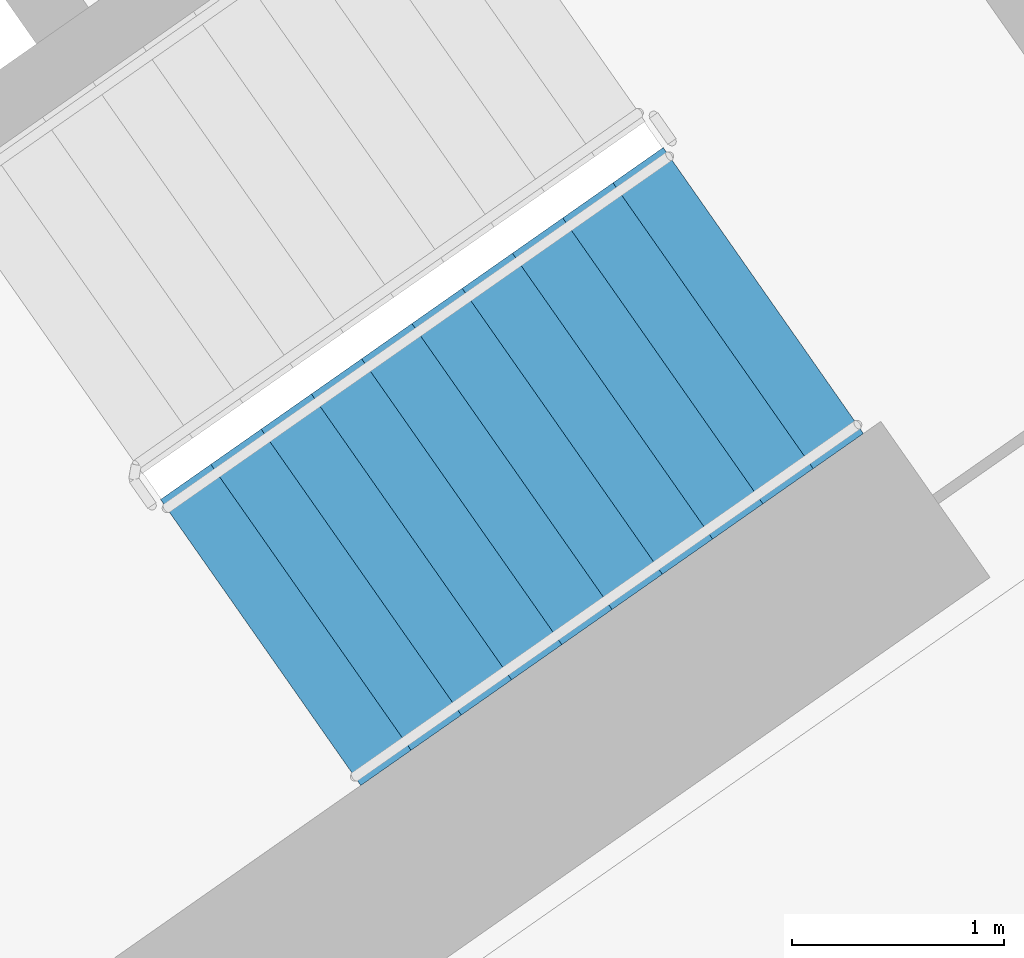
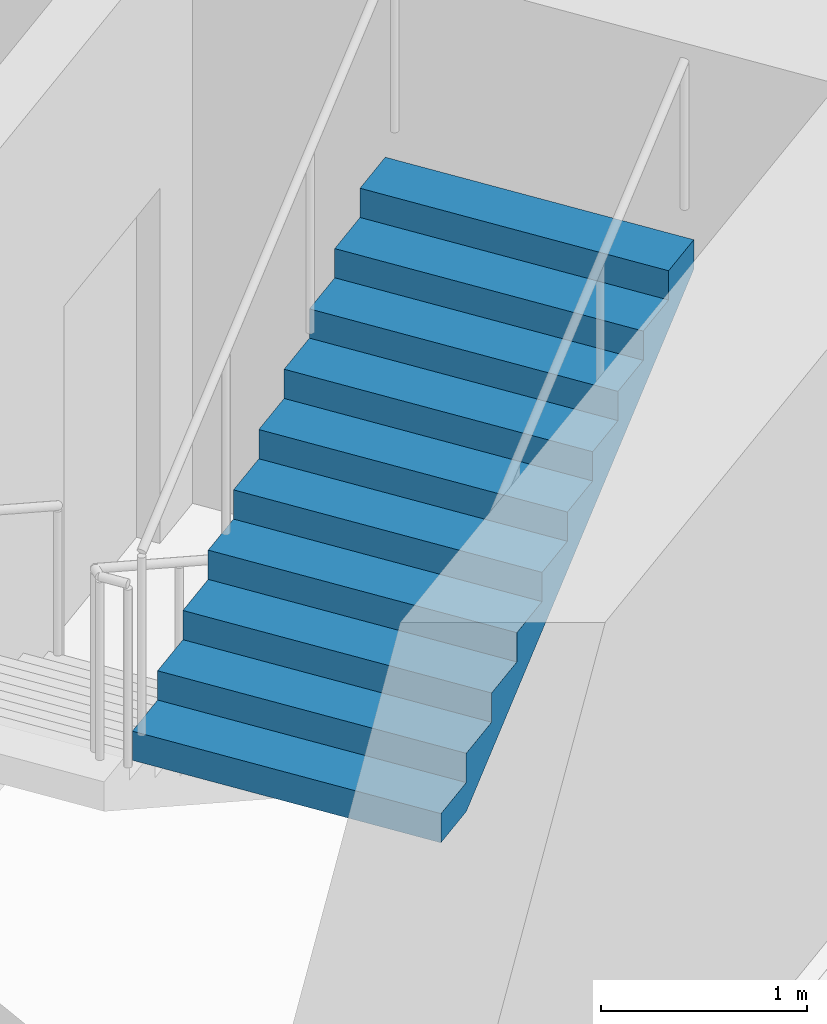
# One storey, part 16 of 30: 1 stair flight, 1 element without a shape of its own.
"""IFC4 building model written with IfcOpenShell, lengths in metres."""

from ifc_helpers import new_model, si_unit, direction, frame, origin, place, context, subcontext, project, spatial, faceted_brep, material, type_object, element, aggregate, save


model = new_model("IFC4")

# Units and contexts
model_context = context("Model", 3, precision=1e-05, world=origin(), true_north=direction((0.0, 1.0)))
body_context = subcontext(model_context, "Body", "Model", "MODEL_VIEW")
ifc_project = project(units=[si_unit("LENGTHUNIT", "METRE"), si_unit("AREAUNIT", "SQUARE_METRE"), si_unit("VOLUMEUNIT", "CUBIC_METRE"), si_unit("PLANEANGLEUNIT", "RADIAN"), si_unit("MASSUNIT", "GRAM", prefix="KILO")], contexts=[model_context])

# Site, building, storey
site_placement = place(None, origin())
site = spatial("IfcSite", under=ifc_project, at=site_placement, CompositionType="ELEMENT")
building_placement = place(site_placement, origin())
building = spatial("IfcBuilding", under=site, at=building_placement, Name="Qamariyya Broadcast Tower", CompositionType="ELEMENT")
storey_placement = place(building_placement, frame((0.0, 0.0, 125.300048828125)))
storey = spatial("IfcBuildingStorey", under=building, at=storey_placement, Name="L28", CompositionType="ELEMENT", Elevation=125.300048828125)

# Stair, stair flight
ifc_material = material(Name="Concrete C50/60", Category="concrete")
stair_type = type_object("IfcStairType", Name="Exit stair 22 risers of 173 mm", PredefinedType="HALF_TURN_STAIR", material=ifc_material)
stair_placement = place(storey_placement, origin())
stair = element("IfcStair", 1, at=stair_placement, inside=storey, type_object=stair_type, Name="L28 Stair E1", PredefinedType="HALF_TURN_STAIR")
stair_flight_type = type_object("IfcStairFlightType", Name="Exit stair flight 11 risers of 173 mm", PredefinedType="STRAIGHT", material=ifc_material)
stair_flight_placement = place(storey_placement, frame((44.693359375, -58.64599609375, 1.89990234375), z_axis=(0.0, 0.0, 1.0), x_axis=(0.819152044289, 0.573576436351, 0.0)))
stair_flight = element("IfcStairFlight", 2, at=stair_flight_placement, type_object=stair_flight_type, Name="ST-E1 flight 2", NumberOfRisers=11, NumberOfTreads=10, PredefinedType="STRAIGHT", RiserHeight=0.172727273, TreadLength=0.29, context=body_context, shape_type="Brep", body=[
    faceted_brep([(0.0, 0.824951171875, 0.0), (0.0, 0.824951171875, 0.172607421875), (0.2900390625, 0.824951171875, 0.172607421875), (0.2900390625, 0.824951171875, 0.345458984375), (0.580078125, 0.824951171875, 0.345458984375), (0.580078125, 0.824951171875, 0.51806640625), (0.8701171875, 0.824951171875, 0.51806640625), (0.8701171875, 0.824951171875, 0.69091796875), (1.159912109375, 0.824951171875, 0.69091796875), (1.159912109375, 0.824951171875, 0.863525390625), (1.449951171875, 0.824951171875, 0.863525390625), (1.449951171875, 0.824951171875, 1.036376953125), (1.739990234375, 0.824951171875, 1.036376953125), (1.739990234375, 0.824951171875, 1.208984375), (2.030029296875, 0.824951171875, 1.208984375), (2.030029296875, 0.824951171875, 1.3818359375), (2.320068359375, 0.824951171875, 1.3818359375), (2.320068359375, 0.824951171875, 1.554443359375), (2.610107421875, 0.824951171875, 1.554443359375), (2.610107421875, 0.824951171875, 1.727294921875), (2.89990234375, 0.824951171875, 1.727294921875), (2.89990234375, 0.824951171875, 1.552734375), (0.29296875, 0.824951171875, 0.0), (0.29296875, -0.824951171875, 0.0), (2.89990234375, -0.824951171875, 1.552734375), (2.89990234375, -0.824951171875, 1.727294921875), (2.610107421875, -0.824951171875, 1.727294921875), (2.610107421875, -0.824951171875, 1.554443359375), (2.320068359375, -0.824951171875, 1.554443359375), (2.320068359375, -0.824951171875, 1.3818359375), (2.030029296875, -0.824951171875, 1.3818359375), (2.030029296875, -0.824951171875, 1.208984375), (1.739990234375, -0.824951171875, 1.208984375), (1.739990234375, -0.824951171875, 1.036376953125), (1.449951171875, -0.824951171875, 1.036376953125), (1.449951171875, -0.824951171875, 0.863525390625), (1.159912109375, -0.824951171875, 0.863525390625), (1.159912109375, -0.824951171875, 0.69091796875), (0.8701171875, -0.824951171875, 0.69091796875), (0.8701171875, -0.824951171875, 0.51806640625), (0.580078125, -0.824951171875, 0.51806640625), (0.580078125, -0.824951171875, 0.345458984375), (0.2900390625, -0.824951171875, 0.345458984375), (0.2900390625, -0.824951171875, 0.172607421875), (0.0, -0.824951171875, 0.172607421875), (0.0, -0.824951171875, 0.0), (0.0, 0.10009765625, 0.0), (0.0, 0.086669921875, 0.0), (0.0, 0.0732421875, 0.0), (0.0, 0.06005859375, 0.0), (0.0, 0.046630859375, 0.0), (0.0, 0.033447265625, 0.0), (0.0, 0.02001953125, 0.0), (0.0, 0.006591796875, 0.0), (0.0, -0.006591796875, 0.0), (0.0, -0.02001953125, 0.0), (0.0, -0.033447265625, 0.0), (0.0, -0.046630859375, 0.0), (0.0, -0.06005859375, 0.0), (0.0, -0.0732421875, 0.0), (0.0, -0.086669921875, 0.0), (0.0, -0.10009765625, 0.0), (0.0, -0.10009765625, 0.172607421875), (0.0, -0.086669921875, 0.172607421875), (0.0, -0.0732421875, 0.172607421875), (0.0, -0.06005859375, 0.172607421875), (0.0, -0.046630859375, 0.172607421875), (0.0, -0.033447265625, 0.172607421875), (0.0, -0.02001953125, 0.172607421875), (0.0, -0.006591796875, 0.172607421875), (0.0, 0.006591796875, 0.172607421875), (0.0, 0.02001953125, 0.172607421875), (0.0, 0.033447265625, 0.172607421875), (0.0, 0.046630859375, 0.172607421875), (0.0, 0.06005859375, 0.172607421875), (0.0, 0.0732421875, 0.172607421875), (0.0, 0.086669921875, 0.172607421875), (0.0, 0.10009765625, 0.172607421875), (0.2900390625, -0.10009765625, 0.172607421875), (0.2900390625, -0.086669921875, 0.172607421875), (0.2900390625, -0.0732421875, 0.172607421875), (0.2900390625, -0.06005859375, 0.172607421875), (0.2900390625, -0.046630859375, 0.172607421875), (0.2900390625, -0.033447265625, 0.172607421875), (0.2900390625, -0.02001953125, 0.172607421875), (0.2900390625, -0.006591796875, 0.172607421875), (0.2900390625, 0.006591796875, 0.172607421875), (0.2900390625, 0.02001953125, 0.172607421875), (0.2900390625, 0.033447265625, 0.172607421875), (0.2900390625, 0.046630859375, 0.172607421875), (0.2900390625, 0.06005859375, 0.172607421875), (0.2900390625, 0.0732421875, 0.172607421875), (0.2900390625, 0.086669921875, 0.172607421875), (0.2900390625, 0.10009765625, 0.172607421875), (0.2900390625, -0.10009765625, 0.345458984375), (0.2900390625, -0.086669921875, 0.345458984375), (0.2900390625, -0.0732421875, 0.345458984375), (0.2900390625, -0.06005859375, 0.345458984375), (0.2900390625, -0.046630859375, 0.345458984375), (0.2900390625, -0.033447265625, 0.345458984375), (0.2900390625, -0.02001953125, 0.345458984375), (0.2900390625, -0.006591796875, 0.345458984375), (0.2900390625, 0.006591796875, 0.345458984375), (0.2900390625, 0.02001953125, 0.345458984375), (0.2900390625, 0.033447265625, 0.345458984375), (0.2900390625, 0.046630859375, 0.345458984375), (0.2900390625, 0.06005859375, 0.345458984375), (0.2900390625, 0.0732421875, 0.345458984375), (0.2900390625, 0.086669921875, 0.345458984375), (0.2900390625, 0.10009765625, 0.345458984375), (0.580078125, -0.10009765625, 0.345458984375), (0.580078125, -0.086669921875, 0.345458984375), (0.580078125, -0.0732421875, 0.345458984375), (0.580078125, -0.06005859375, 0.345458984375), (0.580078125, -0.046630859375, 0.345458984375), (0.580078125, -0.033447265625, 0.345458984375), (0.580078125, -0.02001953125, 0.345458984375), (0.580078125, -0.006591796875, 0.345458984375), (0.580078125, 0.006591796875, 0.345458984375), (0.580078125, 0.02001953125, 0.345458984375), (0.580078125, 0.033447265625, 0.345458984375), (0.580078125, 0.046630859375, 0.345458984375), (0.580078125, 0.06005859375, 0.345458984375), (0.580078125, 0.0732421875, 0.345458984375), (0.580078125, 0.086669921875, 0.345458984375), (0.580078125, 0.10009765625, 0.345458984375), (0.580078125, -0.10009765625, 0.51806640625), (0.580078125, -0.086669921875, 0.51806640625), (0.580078125, -0.0732421875, 0.51806640625), (0.580078125, -0.06005859375, 0.51806640625), (0.580078125, -0.046630859375, 0.51806640625), (0.580078125, -0.033447265625, 0.51806640625), (0.580078125, -0.02001953125, 0.51806640625), (0.580078125, -0.006591796875, 0.51806640625), (0.580078125, 0.006591796875, 0.51806640625), (0.580078125, 0.02001953125, 0.51806640625), (0.580078125, 0.033447265625, 0.51806640625), (0.580078125, 0.046630859375, 0.51806640625), (0.580078125, 0.06005859375, 0.51806640625), (0.580078125, 0.0732421875, 0.51806640625), (0.580078125, 0.086669921875, 0.51806640625), (0.580078125, 0.10009765625, 0.51806640625), (0.8701171875, -0.10009765625, 0.51806640625), (0.8701171875, -0.086669921875, 0.51806640625), (0.8701171875, -0.0732421875, 0.51806640625), (0.8701171875, -0.06005859375, 0.51806640625), (0.8701171875, -0.046630859375, 0.51806640625), (0.8701171875, -0.033447265625, 0.51806640625), (0.8701171875, -0.02001953125, 0.51806640625), (0.8701171875, -0.006591796875, 0.51806640625), (0.8701171875, 0.006591796875, 0.51806640625), (0.8701171875, 0.02001953125, 0.51806640625), (0.8701171875, 0.033447265625, 0.51806640625), (0.8701171875, 0.046630859375, 0.51806640625), (0.8701171875, 0.06005859375, 0.51806640625), (0.8701171875, 0.0732421875, 0.51806640625), (0.8701171875, 0.086669921875, 0.51806640625), (0.8701171875, 0.10009765625, 0.51806640625), (0.8701171875, -0.10009765625, 0.69091796875), (0.8701171875, -0.086669921875, 0.69091796875), (0.8701171875, -0.0732421875, 0.69091796875), (0.8701171875, -0.06005859375, 0.69091796875), (0.8701171875, -0.046630859375, 0.69091796875), (0.8701171875, -0.033447265625, 0.69091796875), (0.8701171875, -0.02001953125, 0.69091796875), (0.8701171875, -0.006591796875, 0.69091796875), (0.8701171875, 0.006591796875, 0.69091796875), (0.8701171875, 0.02001953125, 0.69091796875), (0.8701171875, 0.033447265625, 0.69091796875), (0.8701171875, 0.046630859375, 0.69091796875), (0.8701171875, 0.06005859375, 0.69091796875), (0.8701171875, 0.0732421875, 0.69091796875), (0.8701171875, 0.086669921875, 0.69091796875), (0.8701171875, 0.10009765625, 0.69091796875), (1.159912109375, -0.10009765625, 0.69091796875), (1.159912109375, -0.086669921875, 0.69091796875), (1.159912109375, -0.0732421875, 0.69091796875), (1.159912109375, -0.06005859375, 0.69091796875), (1.159912109375, -0.046630859375, 0.69091796875), (1.159912109375, -0.033447265625, 0.69091796875), (1.159912109375, -0.02001953125, 0.69091796875), (1.159912109375, -0.006591796875, 0.69091796875), (1.159912109375, 0.006591796875, 0.69091796875), (1.159912109375, 0.02001953125, 0.69091796875), (1.159912109375, 0.033447265625, 0.69091796875), (1.159912109375, 0.046630859375, 0.69091796875), (1.159912109375, 0.06005859375, 0.69091796875), (1.159912109375, 0.0732421875, 0.69091796875), (1.159912109375, 0.086669921875, 0.69091796875), (1.159912109375, 0.10009765625, 0.69091796875), (1.159912109375, -0.10009765625, 0.863525390625), (1.159912109375, -0.086669921875, 0.863525390625), (1.159912109375, -0.0732421875, 0.863525390625), (1.159912109375, -0.06005859375, 0.863525390625), (1.159912109375, -0.046630859375, 0.863525390625), (1.159912109375, -0.033447265625, 0.863525390625), (1.159912109375, -0.02001953125, 0.863525390625), (1.159912109375, -0.006591796875, 0.863525390625), (1.159912109375, 0.006591796875, 0.863525390625), (1.159912109375, 0.02001953125, 0.863525390625), (1.159912109375, 0.033447265625, 0.863525390625), (1.159912109375, 0.046630859375, 0.863525390625), (1.159912109375, 0.06005859375, 0.863525390625), (1.159912109375, 0.0732421875, 0.863525390625), (1.159912109375, 0.086669921875, 0.863525390625), (1.159912109375, 0.10009765625, 0.863525390625), (1.449951171875, -0.10009765625, 0.863525390625), (1.449951171875, -0.086669921875, 0.863525390625), (1.449951171875, -0.0732421875, 0.863525390625), (1.449951171875, -0.06005859375, 0.863525390625), (1.449951171875, -0.046630859375, 0.863525390625), (1.449951171875, -0.033447265625, 0.863525390625), (1.449951171875, -0.02001953125, 0.863525390625), (1.449951171875, -0.006591796875, 0.863525390625), (1.449951171875, 0.006591796875, 0.863525390625), (1.449951171875, 0.02001953125, 0.863525390625), (1.449951171875, 0.033447265625, 0.863525390625), (1.449951171875, 0.046630859375, 0.863525390625), (1.449951171875, 0.06005859375, 0.863525390625), (1.449951171875, 0.0732421875, 0.863525390625), (1.449951171875, 0.086669921875, 0.863525390625), (1.449951171875, 0.10009765625, 0.863525390625), (1.449951171875, -0.10009765625, 1.036376953125), (1.449951171875, -0.086669921875, 1.036376953125), (1.449951171875, -0.0732421875, 1.036376953125), (1.449951171875, -0.06005859375, 1.036376953125), (1.449951171875, -0.046630859375, 1.036376953125), (1.449951171875, -0.033447265625, 1.036376953125), (1.449951171875, -0.02001953125, 1.036376953125), (1.449951171875, -0.006591796875, 1.036376953125), (1.449951171875, 0.006591796875, 1.036376953125), (1.449951171875, 0.02001953125, 1.036376953125), (1.449951171875, 0.033447265625, 1.036376953125), (1.449951171875, 0.046630859375, 1.036376953125), (1.449951171875, 0.06005859375, 1.036376953125), (1.449951171875, 0.0732421875, 1.036376953125), (1.449951171875, 0.086669921875, 1.036376953125), (1.449951171875, 0.10009765625, 1.036376953125), (1.739990234375, -0.10009765625, 1.036376953125), (1.739990234375, -0.086669921875, 1.036376953125), (1.739990234375, -0.0732421875, 1.036376953125), (1.739990234375, -0.06005859375, 1.036376953125), (1.739990234375, -0.046630859375, 1.036376953125), (1.739990234375, -0.033447265625, 1.036376953125), (1.739990234375, -0.02001953125, 1.036376953125), (1.739990234375, -0.006591796875, 1.036376953125), (1.739990234375, 0.006591796875, 1.036376953125), (1.739990234375, 0.02001953125, 1.036376953125), (1.739990234375, 0.033447265625, 1.036376953125), (1.739990234375, 0.046630859375, 1.036376953125), (1.739990234375, 0.06005859375, 1.036376953125), (1.739990234375, 0.0732421875, 1.036376953125), (1.739990234375, 0.086669921875, 1.036376953125), (1.739990234375, 0.10009765625, 1.036376953125), (1.739990234375, -0.10009765625, 1.208984375), (1.739990234375, -0.086669921875, 1.208984375), (1.739990234375, -0.0732421875, 1.208984375), (1.739990234375, -0.06005859375, 1.208984375), (1.739990234375, -0.046630859375, 1.208984375), (1.739990234375, -0.033447265625, 1.208984375), (1.739990234375, -0.02001953125, 1.208984375), (1.739990234375, -0.006591796875, 1.208984375), (1.739990234375, 0.006591796875, 1.208984375), (1.739990234375, 0.02001953125, 1.208984375), (1.739990234375, 0.033447265625, 1.208984375), (1.739990234375, 0.046630859375, 1.208984375), (1.739990234375, 0.06005859375, 1.208984375), (1.739990234375, 0.0732421875, 1.208984375), (1.739990234375, 0.086669921875, 1.208984375), (1.739990234375, 0.10009765625, 1.208984375), (2.030029296875, -0.10009765625, 1.208984375), (2.030029296875, -0.086669921875, 1.208984375), (2.030029296875, -0.0732421875, 1.208984375), (2.030029296875, -0.06005859375, 1.208984375), (2.030029296875, -0.046630859375, 1.208984375), (2.030029296875, -0.033447265625, 1.208984375), (2.030029296875, -0.02001953125, 1.208984375), (2.030029296875, -0.006591796875, 1.208984375), (2.030029296875, 0.006591796875, 1.208984375), (2.030029296875, 0.02001953125, 1.208984375), (2.030029296875, 0.033447265625, 1.208984375), (2.030029296875, 0.046630859375, 1.208984375), (2.030029296875, 0.06005859375, 1.208984375), (2.030029296875, 0.0732421875, 1.208984375), (2.030029296875, 0.086669921875, 1.208984375), (2.030029296875, 0.10009765625, 1.208984375), (2.030029296875, -0.10009765625, 1.3818359375), (2.030029296875, -0.086669921875, 1.3818359375), (2.030029296875, -0.0732421875, 1.3818359375), (2.030029296875, -0.06005859375, 1.3818359375), (2.030029296875, -0.046630859375, 1.3818359375), (2.030029296875, -0.033447265625, 1.3818359375), (2.030029296875, -0.02001953125, 1.3818359375), (2.030029296875, -0.006591796875, 1.3818359375), (2.030029296875, 0.006591796875, 1.3818359375), (2.030029296875, 0.02001953125, 1.3818359375), (2.030029296875, 0.033447265625, 1.3818359375), (2.030029296875, 0.046630859375, 1.3818359375), (2.030029296875, 0.06005859375, 1.3818359375), (2.030029296875, 0.0732421875, 1.3818359375), (2.030029296875, 0.086669921875, 1.3818359375), (2.030029296875, 0.10009765625, 1.3818359375), (2.320068359375, -0.10009765625, 1.3818359375), (2.320068359375, -0.086669921875, 1.3818359375), (2.320068359375, -0.0732421875, 1.3818359375), (2.320068359375, -0.06005859375, 1.3818359375), (2.320068359375, -0.046630859375, 1.3818359375), (2.320068359375, -0.033447265625, 1.3818359375), (2.320068359375, -0.02001953125, 1.3818359375), (2.320068359375, -0.006591796875, 1.3818359375), (2.320068359375, 0.006591796875, 1.3818359375), (2.320068359375, 0.02001953125, 1.3818359375), (2.320068359375, 0.033447265625, 1.3818359375), (2.320068359375, 0.046630859375, 1.3818359375), (2.320068359375, 0.06005859375, 1.3818359375), (2.320068359375, 0.0732421875, 1.3818359375), (2.320068359375, 0.086669921875, 1.3818359375), (2.320068359375, 0.10009765625, 1.3818359375), (2.320068359375, -0.10009765625, 1.554443359375), (2.320068359375, -0.086669921875, 1.554443359375), (2.320068359375, -0.0732421875, 1.554443359375), (2.320068359375, -0.06005859375, 1.554443359375), (2.320068359375, -0.046630859375, 1.554443359375), (2.320068359375, -0.033447265625, 1.554443359375), (2.320068359375, -0.02001953125, 1.554443359375), (2.320068359375, -0.006591796875, 1.554443359375), (2.320068359375, 0.006591796875, 1.554443359375), (2.320068359375, 0.02001953125, 1.554443359375), (2.320068359375, 0.033447265625, 1.554443359375), (2.320068359375, 0.046630859375, 1.554443359375), (2.320068359375, 0.06005859375, 1.554443359375), (2.320068359375, 0.0732421875, 1.554443359375), (2.320068359375, 0.086669921875, 1.554443359375), (2.320068359375, 0.10009765625, 1.554443359375), (2.610107421875, -0.10009765625, 1.554443359375), (2.610107421875, -0.086669921875, 1.554443359375), (2.610107421875, -0.0732421875, 1.554443359375), (2.610107421875, -0.06005859375, 1.554443359375), (2.610107421875, -0.046630859375, 1.554443359375), (2.610107421875, -0.033447265625, 1.554443359375), (2.610107421875, -0.02001953125, 1.554443359375), (2.610107421875, -0.006591796875, 1.554443359375), (2.610107421875, 0.006591796875, 1.554443359375), (2.610107421875, 0.02001953125, 1.554443359375), (2.610107421875, 0.033447265625, 1.554443359375), (2.610107421875, 0.046630859375, 1.554443359375), (2.610107421875, 0.06005859375, 1.554443359375), (2.610107421875, 0.0732421875, 1.554443359375), (2.610107421875, 0.086669921875, 1.554443359375), (2.610107421875, 0.10009765625, 1.554443359375), (2.610107421875, -0.10009765625, 1.727294921875), (2.610107421875, -0.086669921875, 1.727294921875), (2.610107421875, -0.0732421875, 1.727294921875), (2.610107421875, -0.06005859375, 1.727294921875), (2.610107421875, -0.046630859375, 1.727294921875), (2.610107421875, -0.033447265625, 1.727294921875), (2.610107421875, -0.02001953125, 1.727294921875), (2.610107421875, -0.006591796875, 1.727294921875), (2.610107421875, 0.006591796875, 1.727294921875), (2.610107421875, 0.02001953125, 1.727294921875), (2.610107421875, 0.033447265625, 1.727294921875), (2.610107421875, 0.046630859375, 1.727294921875), (2.610107421875, 0.06005859375, 1.727294921875), (2.610107421875, 0.0732421875, 1.727294921875), (2.610107421875, 0.086669921875, 1.727294921875), (2.610107421875, 0.10009765625, 1.727294921875), (2.89990234375, -0.10009765625, 1.727294921875), (2.89990234375, -0.086669921875, 1.727294921875), (2.89990234375, -0.0732421875, 1.727294921875), (2.89990234375, -0.06005859375, 1.727294921875), (2.89990234375, -0.046630859375, 1.727294921875), (2.89990234375, -0.033447265625, 1.727294921875), (2.89990234375, -0.02001953125, 1.727294921875), (2.89990234375, -0.006591796875, 1.727294921875), (2.89990234375, 0.006591796875, 1.727294921875), (2.89990234375, 0.02001953125, 1.727294921875), (2.89990234375, 0.033447265625, 1.727294921875), (2.89990234375, 0.046630859375, 1.727294921875), (2.89990234375, 0.06005859375, 1.727294921875), (2.89990234375, 0.0732421875, 1.727294921875), (2.89990234375, 0.086669921875, 1.727294921875), (2.89990234375, 0.10009765625, 1.727294921875), (2.89990234375, -0.10009765625, 1.552734375), (2.89990234375, -0.086669921875, 1.552734375), (2.89990234375, -0.0732421875, 1.552734375), (2.89990234375, -0.06005859375, 1.552734375), (2.89990234375, -0.046630859375, 1.552734375), (2.89990234375, -0.033447265625, 1.552734375), (2.89990234375, -0.02001953125, 1.552734375), (2.89990234375, -0.006591796875, 1.552734375), (2.89990234375, 0.006591796875, 1.552734375), (2.89990234375, 0.02001953125, 1.552734375), (2.89990234375, 0.033447265625, 1.552734375), (2.89990234375, 0.046630859375, 1.552734375), (2.89990234375, 0.06005859375, 1.552734375), (2.89990234375, 0.0732421875, 1.552734375), (2.89990234375, 0.086669921875, 1.552734375), (2.89990234375, 0.10009765625, 1.552734375), (0.29296875, -0.10009765625, 0.0), (0.29296875, -0.086669921875, 0.0), (0.29296875, -0.0732421875, 0.0), (0.29296875, -0.06005859375, 0.0), (0.29296875, -0.046630859375, 0.0), (0.29296875, -0.033447265625, 0.0), (0.29296875, -0.02001953125, 0.0), (0.29296875, -0.006591796875, 0.0), (0.29296875, 0.006591796875, 0.0), (0.29296875, 0.02001953125, 0.0), (0.29296875, 0.033447265625, 0.0), (0.29296875, 0.046630859375, 0.0), (0.29296875, 0.06005859375, 0.0), (0.29296875, 0.0732421875, 0.0), (0.29296875, 0.086669921875, 0.0), (0.29296875, 0.10009765625, 0.0)], [[[0, 1, 2, 3, 4, 5, 6, 7, 8, 9, 10, 11, 12, 13, 14, 15, 16, 17, 18, 19, 20, 21, 22]], [[23, 24, 25, 26, 27, 28, 29, 30, 31, 32, 33, 34, 35, 36, 37, 38, 39, 40, 41, 42, 43, 44, 45]], [[0, 46, 47, 48, 49, 50, 51, 52, 53, 54, 55, 56, 57, 58, 59, 60, 61, 45, 44, 62, 63, 64, 65, 66, 67, 68, 69, 70, 71, 72, 73, 74, 75, 76, 77, 1]], [[1, 77, 76, 75, 74, 73, 72, 71, 70, 69, 68, 67, 66, 65, 64, 63, 62, 44, 43, 78, 79, 80, 81, 82, 83, 84, 85, 86, 87, 88, 89, 90, 91, 92, 93, 2]], [[2, 93, 92, 91, 90, 89, 88, 87, 86, 85, 84, 83, 82, 81, 80, 79, 78, 43, 42, 94, 95, 96, 97, 98, 99, 100, 101, 102, 103, 104, 105, 106, 107, 108, 109, 3]], [[3, 109, 108, 107, 106, 105, 104, 103, 102, 101, 100, 99, 98, 97, 96, 95, 94, 42, 41, 110, 111, 112, 113, 114, 115, 116, 117, 118, 119, 120, 121, 122, 123, 124, 125, 4]], [[4, 125, 124, 123, 122, 121, 120, 119, 118, 117, 116, 115, 114, 113, 112, 111, 110, 41, 40, 126, 127, 128, 129, 130, 131, 132, 133, 134, 135, 136, 137, 138, 139, 140, 141, 5]], [[5, 141, 140, 139, 138, 137, 136, 135, 134, 133, 132, 131, 130, 129, 128, 127, 126, 40, 39, 142, 143, 144, 145, 146, 147, 148, 149, 150, 151, 152, 153, 154, 155, 156, 157, 6]], [[6, 157, 156, 155, 154, 153, 152, 151, 150, 149, 148, 147, 146, 145, 144, 143, 142, 39, 38, 158, 159, 160, 161, 162, 163, 164, 165, 166, 167, 168, 169, 170, 171, 172, 173, 7]], [[7, 173, 172, 171, 170, 169, 168, 167, 166, 165, 164, 163, 162, 161, 160, 159, 158, 38, 37, 174, 175, 176, 177, 178, 179, 180, 181, 182, 183, 184, 185, 186, 187, 188, 189, 8]], [[8, 189, 188, 187, 186, 185, 184, 183, 182, 181, 180, 179, 178, 177, 176, 175, 174, 37, 36, 190, 191, 192, 193, 194, 195, 196, 197, 198, 199, 200, 201, 202, 203, 204, 205, 9]], [[9, 205, 204, 203, 202, 201, 200, 199, 198, 197, 196, 195, 194, 193, 192, 191, 190, 36, 35, 206, 207, 208, 209, 210, 211, 212, 213, 214, 215, 216, 217, 218, 219, 220, 221, 10]], [[10, 221, 220, 219, 218, 217, 216, 215, 214, 213, 212, 211, 210, 209, 208, 207, 206, 35, 34, 222, 223, 224, 225, 226, 227, 228, 229, 230, 231, 232, 233, 234, 235, 236, 237, 11]], [[11, 237, 236, 235, 234, 233, 232, 231, 230, 229, 228, 227, 226, 225, 224, 223, 222, 34, 33, 238, 239, 240, 241, 242, 243, 244, 245, 246, 247, 248, 249, 250, 251, 252, 253, 12]], [[12, 253, 252, 251, 250, 249, 248, 247, 246, 245, 244, 243, 242, 241, 240, 239, 238, 33, 32, 254, 255, 256, 257, 258, 259, 260, 261, 262, 263, 264, 265, 266, 267, 268, 269, 13]], [[13, 269, 268, 267, 266, 265, 264, 263, 262, 261, 260, 259, 258, 257, 256, 255, 254, 32, 31, 270, 271, 272, 273, 274, 275, 276, 277, 278, 279, 280, 281, 282, 283, 284, 285, 14]], [[14, 285, 284, 283, 282, 281, 280, 279, 278, 277, 276, 275, 274, 273, 272, 271, 270, 31, 30, 286, 287, 288, 289, 290, 291, 292, 293, 294, 295, 296, 297, 298, 299, 300, 301, 15]], [[15, 301, 300, 299, 298, 297, 296, 295, 294, 293, 292, 291, 290, 289, 288, 287, 286, 30, 29, 302, 303, 304, 305, 306, 307, 308, 309, 310, 311, 312, 313, 314, 315, 316, 317, 16]], [[16, 317, 316, 315, 314, 313, 312, 311, 310, 309, 308, 307, 306, 305, 304, 303, 302, 29, 28, 318, 319, 320, 321, 322, 323, 324, 325, 326, 327, 328, 329, 330, 331, 332, 333, 17]], [[17, 333, 332, 331, 330, 329, 328, 327, 326, 325, 324, 323, 322, 321, 320, 319, 318, 28, 27, 334, 335, 336, 337, 338, 339, 340, 341, 342, 343, 344, 345, 346, 347, 348, 349, 18]], [[18, 349, 348, 347, 346, 345, 344, 343, 342, 341, 340, 339, 338, 337, 336, 335, 334, 27, 26, 350, 351, 352, 353, 354, 355, 356, 357, 358, 359, 360, 361, 362, 363, 364, 365, 19]], [[19, 365, 364, 363, 362, 361, 360, 359, 358, 357, 356, 355, 354, 353, 352, 351, 350, 26, 25, 366, 367, 368, 369, 370, 371, 372, 373, 374, 375, 376, 377, 378, 379, 380, 381, 20]], [[20, 381, 380, 379, 378, 377, 376, 375, 374, 373, 372, 371, 370, 369, 368, 367, 366, 25, 24, 382, 383, 384, 385, 386, 387, 388, 389, 390, 391, 392, 393, 394, 395, 396, 397, 21]], [[21, 397, 396, 395, 394, 393, 392, 391, 390, 389, 388, 387, 386, 385, 384, 383, 382, 24, 23, 398, 399, 400, 401, 402, 403, 404, 405, 406, 407, 408, 409, 410, 411, 412, 413, 22]], [[22, 413, 412, 411, 410, 409, 408, 407, 406, 405, 404, 403, 402, 401, 400, 399, 398, 23, 45, 61, 60, 59, 58, 57, 56, 55, 54, 53, 52, 51, 50, 49, 48, 47, 46, 0]]]),
])
aggregate(stair, [stair_flight])

save(model, "model.ifc")
